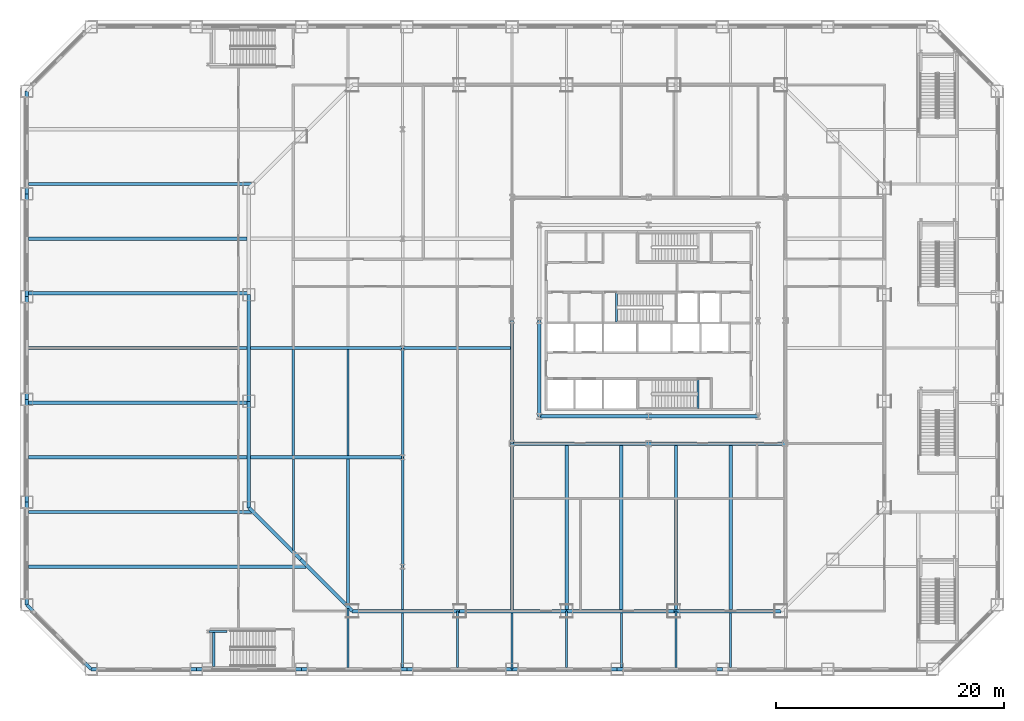
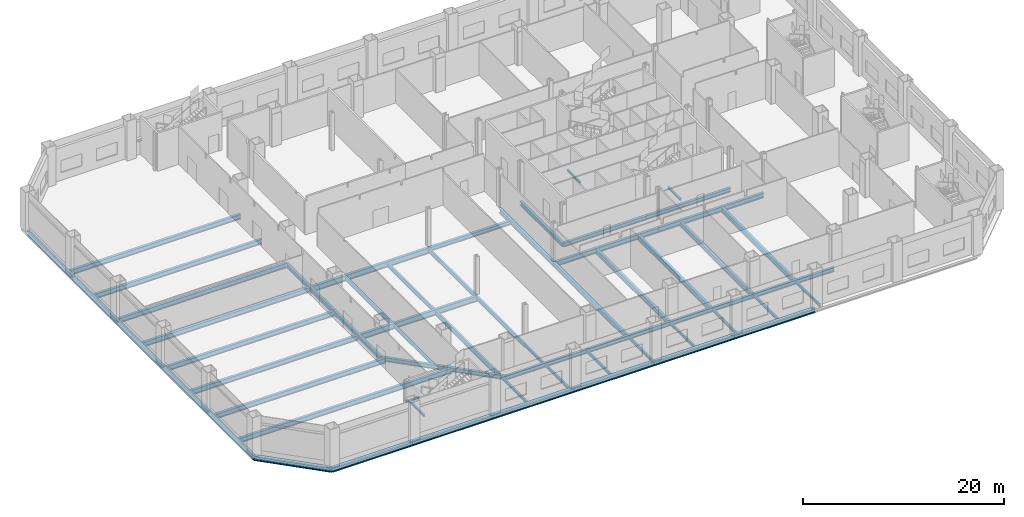
# One storey, part 8 of 26: 61 beams.
"""IFC4 building model written with IfcOpenShell, lengths in metres."""

from ifc_helpers import new_model, si_unit, direction, frame, origin, origin_2d, place, context, subcontext, project, spatial, i_section, extrude, material, material_profile, profile_set, type_object, element, save


model = new_model("IFC4")

# Units and contexts
model_context = context("Model", 3, precision=1e-05, world=origin(), true_north=direction((0.0, 1.0)))
body_context = subcontext(model_context, "Body", "Model", "MODEL_VIEW")
ifc_project = project(units=[si_unit("LENGTHUNIT", "METRE"), si_unit("AREAUNIT", "SQUARE_METRE"), si_unit("VOLUMEUNIT", "CUBIC_METRE"), si_unit("PLANEANGLEUNIT", "RADIAN"), si_unit("MASSUNIT", "GRAM", prefix="KILO")], contexts=[model_context])

# Site, building, storey
site_placement = place(None, origin())
site = spatial("IfcSite", under=ifc_project, at=site_placement, CompositionType="ELEMENT")
building_placement = place(site_placement, origin())
building = spatial("IfcBuilding", under=site, at=building_placement, Name="Cairn Pilgrim Tower", CompositionType="ELEMENT")
storey_placement = place(building_placement, frame((0.0, 0.0, 21.0)))
storey = spatial("IfcBuildingStorey", under=building, at=storey_placement, Name="L03", CompositionType="ELEMENT", Elevation=21.0)

# Beams
ifc_material = material(Name="Structural steel S355J2", Category="steel")
ifc_material_profile_1 = material_profile(ifc_material, i_section(OverallWidth=0.300048828125, OverallDepth=0.60009765625, WebThickness=0.015380859375, FlangeThickness=0.030029296875, FilletRadius=0.027099609375, at=origin_2d()), Name="HEB 600")
ifc_profile_set_1 = profile_set([ifc_material_profile_1], Name="Structural steel S355J2")
beam_type_1 = type_object("IfcBeamType", Name="PODIUM BEAM HE 600 B", PredefinedType="BEAM", material=ifc_profile_set_1)
for number, where, z_axis, x_axis, name in (
    (1, (-4.800048828125, -22.947998046875, -0.5), (0.0, 1.0, 0.0), (-1.0, 0.0, 0.0), "PODIUM BEAM PB-HE600B"),
    (2, (0.0, -23.10009765625, -0.5), (0.0, 1.0, 0.0), (-1.0, 0.0, 0.0), "PODIUM BEAM PB-HE600B"),
):
    element("IfcBeam", number, at=place(storey_placement, frame(where, z_axis=z_axis, x_axis=x_axis)), inside=storey, type_object=beam_type_1, Name=name, PredefinedType="BEAM", context=body_context, shape_type="SweptSolid", body=[
        extrude(i_section(OverallWidth=0.300048828125, OverallDepth=0.60009765625, WebThickness=0.015380859375, FlangeThickness=0.030029296875, FilletRadius=0.027099609375, at=origin_2d()), origin(), (0.0, 0.0, 1.0), 14.548095703125),
    ])
beam_1_placement = place(storey_placement, frame((4.800048828125, -22.947998046875, -0.5), z_axis=(0.0, 1.0, 0.0), x_axis=(-1.0, 0.0, 0.0)))
element("IfcBeam", 3, at=beam_1_placement, inside=storey, type_object=beam_type_1, Name="PODIUM BEAM PB-HE600B", PredefinedType="BEAM", context=body_context, shape_type="SweptSolid", body=[
    extrude(i_section(OverallWidth=0.300048828125, OverallDepth=0.60009765625, WebThickness=0.015380859375, FlangeThickness=0.030029296875, FilletRadius=0.027099609375, at=origin_2d()), origin(), (0.0, 0.0, 1.0), 14.39599609375),
])
beam_2_placement = place(storey_placement, frame((9.60009765625, -23.10009765625, -0.5), z_axis=(0.0, 1.0, 0.0), x_axis=(-1.0, 0.0, 0.0)))
element("IfcBeam", 4, at=beam_2_placement, inside=storey, type_object=beam_type_1, Name="PODIUM BEAM PB-HE600B", PredefinedType="BEAM", context=body_context, shape_type="SweptSolid", body=[
    extrude(i_section(OverallWidth=0.300048828125, OverallDepth=0.60009765625, WebThickness=0.015380859375, FlangeThickness=0.030029296875, FilletRadius=0.027099609375, at=origin_2d()), origin(), (0.0, 0.0, 1.0), 14.548095703125),
])
beam_3_placement = place(storey_placement, frame((14.39990234375, -22.947998046875, -0.5), z_axis=(0.0, 1.0, 0.0), x_axis=(-1.0, 0.0, 0.0)))
element("IfcBeam", 5, at=beam_3_placement, inside=storey, type_object=beam_type_1, Name="PODIUM BEAM PB-HE600B", PredefinedType="BEAM", context=body_context, shape_type="SweptSolid", body=[
    extrude(i_section(OverallWidth=0.300048828125, OverallDepth=0.60009765625, WebThickness=0.015380859375, FlangeThickness=0.030029296875, FilletRadius=0.027099609375, at=origin_2d()), origin(), (0.0, 0.0, 1.0), 14.39599609375),
])
beam_4_placement = place(storey_placement, frame((-47.248046875, -19.199951171875, -0.5), z_axis=(1.0, 0.0, 0.0), x_axis=(0.0, 1.0, 0.0)))
element("IfcBeam", 6, at=beam_4_placement, inside=storey, type_object=beam_type_1, Name="PODIUM BEAM PB-HE600B", PredefinedType="BEAM", context=body_context, shape_type="SweptSolid", body=[
    extrude(i_section(OverallWidth=0.300048828125, OverallDepth=0.60009765625, WebThickness=0.015380859375, FlangeThickness=0.030029296875, FilletRadius=0.027099609375, at=origin_2d()), origin(), (0.0, 0.0, 1.0), 24.368896484375),
])
beam_5_placement = place(storey_placement, frame((-47.248046875, -14.39990234375, -0.5), z_axis=(1.0, 0.0, 0.0), x_axis=(0.0, 1.0, 0.0)))
element("IfcBeam", 7, at=beam_5_placement, inside=storey, type_object=beam_type_1, Name="PODIUM BEAM PB-HE600B", PredefinedType="BEAM", context=body_context, shape_type="SweptSolid", body=[
    extrude(i_section(OverallWidth=0.300048828125, OverallDepth=0.60009765625, WebThickness=0.015380859375, FlangeThickness=0.030029296875, FilletRadius=0.027099609375, at=origin_2d()), origin(), (0.0, 0.0, 1.0), 19.56884765625),
])
beam_6_placement = place(storey_placement, frame((-47.248046875, -9.60009765625, -0.5), z_axis=(1.0, 0.0, 0.0), x_axis=(0.0, 1.0, 0.0)))
element("IfcBeam", 8, at=beam_6_placement, inside=storey, type_object=beam_type_1, Name="PODIUM BEAM PB-HE600B", PredefinedType="BEAM", context=body_context, shape_type="SweptSolid", body=[
    extrude(i_section(OverallWidth=0.300048828125, OverallDepth=0.60009765625, WebThickness=0.015380859375, FlangeThickness=0.030029296875, FilletRadius=0.027099609375, at=origin_2d()), origin(), (0.0, 0.0, 1.0), 19.196044921875),
])
beam_7_placement = place(storey_placement, frame((-47.39990234375, -4.800048828125, -0.5), z_axis=(1.0, 0.0, 0.0), x_axis=(0.0, 1.0, 0.0)))
element("IfcBeam", 9, at=beam_7_placement, inside=storey, type_object=beam_type_1, Name="PODIUM BEAM PB-HE600B", PredefinedType="BEAM", context=body_context, shape_type="SweptSolid", body=[
    extrude(i_section(OverallWidth=0.300048828125, OverallDepth=0.60009765625, WebThickness=0.015380859375, FlangeThickness=0.030029296875, FilletRadius=0.027099609375, at=origin_2d()), origin(), (0.0, 0.0, 1.0), 19.5),
])
beam_8_placement = place(storey_placement, frame((-47.248046875, 0.0, -0.5), z_axis=(1.0, 0.0, 0.0), x_axis=(0.0, 1.0, 0.0)))
element("IfcBeam", 10, at=beam_8_placement, inside=storey, type_object=beam_type_1, Name="PODIUM BEAM PB-HE600B", PredefinedType="BEAM", context=body_context, shape_type="SweptSolid", body=[
    extrude(i_section(OverallWidth=0.300048828125, OverallDepth=0.60009765625, WebThickness=0.015380859375, FlangeThickness=0.030029296875, FilletRadius=0.027099609375, at=origin_2d()), origin(), (0.0, 0.0, 1.0), 19.196044921875),
])
beam_9_placement = place(storey_placement, frame((-47.39990234375, 4.800048828125, -0.5), z_axis=(1.0, 0.0, 0.0), x_axis=(0.0, 1.0, 0.0)))
element("IfcBeam", 11, at=beam_9_placement, inside=storey, type_object=beam_type_1, Name="PODIUM BEAM PB-HE600B", PredefinedType="BEAM", context=body_context, shape_type="SweptSolid", body=[
    extrude(i_section(OverallWidth=0.300048828125, OverallDepth=0.60009765625, WebThickness=0.015380859375, FlangeThickness=0.030029296875, FilletRadius=0.027099609375, at=origin_2d()), origin(), (0.0, 0.0, 1.0), 19.5),
])
beam_10_placement = place(storey_placement, frame((-47.248046875, 9.60009765625, -0.5), z_axis=(1.0, 0.0, 0.0), x_axis=(0.0, 1.0, 0.0)))
element("IfcBeam", 12, at=beam_10_placement, inside=storey, type_object=beam_type_1, Name="PODIUM BEAM PB-HE600B", PredefinedType="BEAM", context=body_context, shape_type="SweptSolid", body=[
    extrude(i_section(OverallWidth=0.300048828125, OverallDepth=0.60009765625, WebThickness=0.015380859375, FlangeThickness=0.030029296875, FilletRadius=0.027099609375, at=origin_2d()), origin(), (0.0, 0.0, 1.0), 19.196044921875),
])
beam_11_placement = place(storey_placement, frame((-47.248046875, 14.39990234375, -0.5), z_axis=(1.0, 0.0, 0.0), x_axis=(0.0, 1.0, 0.0)))
element("IfcBeam", 13, at=beam_11_placement, inside=storey, type_object=beam_type_1, Name="PODIUM BEAM PB-HE600B", PredefinedType="BEAM", context=body_context, shape_type="SweptSolid", body=[
    extrude(i_section(OverallWidth=0.300048828125, OverallDepth=0.60009765625, WebThickness=0.015380859375, FlangeThickness=0.030029296875, FilletRadius=0.027099609375, at=origin_2d()), origin(), (0.0, 0.0, 1.0), 19.56884765625),
])
ifc_material_profile_2 = material_profile(ifc_material, i_section(OverallWidth=0.169921875, OverallDepth=0.360107421875, WebThickness=0.008056640625, FlangeThickness=0.0126953125, FilletRadius=0.01806640625, at=origin_2d()), Name="IPE 360")
ifc_profile_set_2 = profile_set([ifc_material_profile_2], Name="Structural steel S355J2")
beam_type_2 = type_object("IfcBeamType", Name="PODIUM BEAM IPE 360", PredefinedType="BEAM", material=ifc_profile_set_2)
beam_12_placement = place(storey_placement, frame((-14.39990234375, -22.947998046875, -0.3798828125), z_axis=(0.0, 1.0, 0.0), x_axis=(-1.0, 0.0, 0.0)))
element("IfcBeam", 14, at=beam_12_placement, inside=storey, type_object=beam_type_2, Name="PODIUM BEAM PB-IPE360", PredefinedType="BEAM", context=body_context, shape_type="SweptSolid", body=[
    extrude(i_section(OverallWidth=0.169921875, OverallDepth=0.360107421875, WebThickness=0.008056640625, FlangeThickness=0.0126953125, FilletRadius=0.01806640625, at=origin_2d()), origin(), (0.0, 0.0, 1.0), 3.748046875),
])
beam_13_placement = place(storey_placement, frame((-19.199951171875, -28.048095703125, -0.3798828125), z_axis=(0.0, 1.0, 0.0), x_axis=(-1.0, 0.0, 0.0)))
element("IfcBeam", 15, at=beam_13_placement, inside=storey, type_object=beam_type_2, Name="PODIUM BEAM PB-IPE360", PredefinedType="BEAM", context=body_context, shape_type="SweptSolid", body=[
    extrude(i_section(OverallWidth=0.169921875, OverallDepth=0.360107421875, WebThickness=0.008056640625, FlangeThickness=0.0126953125, FilletRadius=0.01806640625, at=origin_2d()), origin(), (0.0, 0.0, 1.0), 5.1689453125),
])
beam_14_placement = place(storey_placement, frame((-14.39990234375, -28.048095703125, -0.3798828125), z_axis=(0.0, 1.0, 0.0), x_axis=(-1.0, 0.0, 0.0)))
element("IfcBeam", 16, at=beam_14_placement, inside=storey, type_object=beam_type_2, Name="PODIUM BEAM PB-IPE360", PredefinedType="BEAM", context=body_context, shape_type="SweptSolid", body=[
    extrude(i_section(OverallWidth=0.169921875, OverallDepth=0.360107421875, WebThickness=0.008056640625, FlangeThickness=0.0126953125, FilletRadius=0.01806640625, at=origin_2d()), origin(), (0.0, 0.0, 1.0), 4.796142578125),
])
for number, where, z_axis, x_axis, name in (
    (17, (-9.60009765625, -28.048095703125, -0.3798828125), (0.0, 1.0, 0.0), (-1.0, 0.0, 0.0), "PODIUM BEAM PB-IPE360"),
    (18, (-4.800048828125, -28.199951171875, -0.3798828125), (0.0, 1.0, 0.0), (-1.0, 0.0, 0.0), "PODIUM BEAM PB-IPE360"),
    (19, (0.0, -28.048095703125, -0.3798828125), (0.0, 1.0, 0.0), (-1.0, 0.0, 0.0), "PODIUM BEAM PB-IPE360"),
):
    element("IfcBeam", number, at=place(storey_placement, frame(where, z_axis=z_axis, x_axis=x_axis)), inside=storey, type_object=beam_type_2, Name=name, PredefinedType="BEAM", context=body_context, shape_type="SweptSolid", body=[
        extrude(i_section(OverallWidth=0.169921875, OverallDepth=0.360107421875, WebThickness=0.008056640625, FlangeThickness=0.0126953125, FilletRadius=0.01806640625, at=origin_2d()), origin(), (0.0, 0.0, 1.0), 4.947998046875),
    ])
beam_15_placement = place(storey_placement, frame((4.800048828125, -28.048095703125, -0.3798828125), z_axis=(0.0, 1.0, 0.0), x_axis=(-1.0, 0.0, 0.0)))
element("IfcBeam", 20, at=beam_15_placement, inside=storey, type_object=beam_type_2, Name="PODIUM BEAM PB-IPE360", PredefinedType="BEAM", context=body_context, shape_type="SweptSolid", body=[
    extrude(i_section(OverallWidth=0.169921875, OverallDepth=0.360107421875, WebThickness=0.008056640625, FlangeThickness=0.0126953125, FilletRadius=0.01806640625, at=origin_2d()), origin(), (0.0, 0.0, 1.0), 4.796142578125),
])
beam_16_placement = place(storey_placement, frame((9.60009765625, -28.048095703125, -0.3798828125), z_axis=(0.0, 1.0, 0.0), x_axis=(-1.0, 0.0, 0.0)))
element("IfcBeam", 21, at=beam_16_placement, inside=storey, type_object=beam_type_2, Name="PODIUM BEAM PB-IPE360", PredefinedType="BEAM", context=body_context, shape_type="SweptSolid", body=[
    extrude(i_section(OverallWidth=0.169921875, OverallDepth=0.360107421875, WebThickness=0.008056640625, FlangeThickness=0.0126953125, FilletRadius=0.01806640625, at=origin_2d()), origin(), (0.0, 0.0, 1.0), 4.947998046875),
])
beam_17_placement = place(storey_placement, frame((14.39990234375, -28.048095703125, -0.3798828125), z_axis=(0.0, 1.0, 0.0), x_axis=(-1.0, 0.0, 0.0)))
element("IfcBeam", 22, at=beam_17_placement, inside=storey, type_object=beam_type_2, Name="PODIUM BEAM PB-IPE360", PredefinedType="BEAM", context=body_context, shape_type="SweptSolid", body=[
    extrude(i_section(OverallWidth=0.169921875, OverallDepth=0.360107421875, WebThickness=0.008056640625, FlangeThickness=0.0126953125, FilletRadius=0.01806640625, at=origin_2d()), origin(), (0.0, 0.0, 1.0), 4.796142578125),
])
ifc_material_profile_3 = material_profile(ifc_material, i_section(OverallWidth=0.179931640625, OverallDepth=0.39990234375, WebThickness=0.008544921875, FlangeThickness=0.013427734375, FilletRadius=0.02099609375, at=origin_2d()), Name="IPE 400")
ifc_profile_set_3 = profile_set([ifc_material_profile_3], Name="Structural steel S355J2")
beam_type_3 = type_object("IfcBeamType", Name="PODIUM BEAM IPE 400", PredefinedType="BEAM", material=ifc_profile_set_3)
beam_18_placement = place(storey_placement, frame((-24.0, -17.775146484375, -0.39990234375), z_axis=(0.0, 1.0, 0.0), x_axis=(-1.0, 0.0, 0.0)))
element("IfcBeam", 23, at=beam_18_placement, inside=storey, type_object=beam_type_3, Name="PODIUM BEAM PB-IPE400", PredefinedType="BEAM", context=body_context, shape_type="SweptSolid", body=[
    extrude(i_section(OverallWidth=0.179931640625, OverallDepth=0.39990234375, WebThickness=0.008544921875, FlangeThickness=0.013427734375, FilletRadius=0.02099609375, at=origin_2d()), origin(), (0.0, 0.0, 1.0), 8.023193359375),
])
ifc_material_profile_4 = material_profile(ifc_material, i_section(OverallWidth=0.199951171875, OverallDepth=0.5, WebThickness=0.01025390625, FlangeThickness=0.01611328125, FilletRadius=0.02099609375, at=origin_2d()), Name="IPE 500")
ifc_profile_set_4 = profile_set([ifc_material_profile_4], Name="Structural steel S355J2")
beam_type_4 = type_object("IfcBeamType", Name="PODIUM BEAM IPE 500", PredefinedType="BEAM", material=ifc_profile_set_4)
for number, where, z_axis, x_axis, name in (
    (24, (-24.0, -9.447998046875, -0.449951171875), (0.0, 1.0, 0.0), (-1.0, 0.0, 0.0), "PODIUM BEAM PB-IPE500"),
    (25, (-19.199951171875, -9.447998046875, -0.449951171875), (0.0, 1.0, 0.0), (-1.0, 0.0, 0.0), "PODIUM BEAM PB-IPE500"),
):
    element("IfcBeam", number, at=place(storey_placement, frame(where, z_axis=z_axis, x_axis=x_axis)), inside=storey, type_object=beam_type_4, Name=name, PredefinedType="BEAM", context=body_context, shape_type="SweptSolid", body=[
        extrude(i_section(OverallWidth=0.199951171875, OverallDepth=0.5, WebThickness=0.01025390625, FlangeThickness=0.01611328125, FilletRadius=0.02099609375, at=origin_2d()), origin(), (0.0, 0.0, 1.0), 9.2958984375),
    ])
beam_19_placement = place(storey_placement, frame((-14.39990234375, -19.199951171875, -0.449951171875), z_axis=(0.0, 1.0, 0.0), x_axis=(-1.0, 0.0, 0.0)))
element("IfcBeam", 26, at=beam_19_placement, inside=storey, type_object=beam_type_4, Name="PODIUM BEAM PB-IPE500", PredefinedType="BEAM", context=body_context, shape_type="SweptSolid", body=[
    extrude(i_section(OverallWidth=0.199951171875, OverallDepth=0.5, WebThickness=0.01025390625, FlangeThickness=0.01611328125, FilletRadius=0.02099609375, at=origin_2d()), origin(), (0.0, 0.0, 1.0), 9.599853515625),
])
beam_20_placement = place(storey_placement, frame((-14.39990234375, -9.60009765625, -0.449951171875), z_axis=(0.0, 1.0, 0.0), x_axis=(-1.0, 0.0, 0.0)))
element("IfcBeam", 27, at=beam_20_placement, inside=storey, type_object=beam_type_4, Name="PODIUM BEAM PB-IPE500", PredefinedType="BEAM", context=body_context, shape_type="SweptSolid", body=[
    extrude(i_section(OverallWidth=0.199951171875, OverallDepth=0.5, WebThickness=0.01025390625, FlangeThickness=0.01611328125, FilletRadius=0.02099609375, at=origin_2d()), origin(), (0.0, 0.0, 1.0), 9.60009765625),
])
ifc_material_profile_5 = material_profile(ifc_material, i_section(OverallWidth=0.219970703125, OverallDepth=0.60009765625, WebThickness=0.011962890625, FlangeThickness=0.01904296875, FilletRadius=0.02392578125, at=origin_2d()), Name="IPE 600")
ifc_profile_set_5 = profile_set([ifc_material_profile_5], Name="Structural steel S355J2")
beam_type_5 = type_object("IfcBeamType", Name="PODIUM BEAM IPE 600", PredefinedType="BEAM", material=ifc_profile_set_5)
beam_21_placement = place(storey_placement, frame((-19.199951171875, -22.5751953125, -0.5), z_axis=(0.0, 1.0, 0.0), x_axis=(-1.0, 0.0, 0.0)))
element("IfcBeam", 28, at=beam_21_placement, inside=storey, type_object=beam_type_5, Name="PODIUM BEAM PB-IPE600", PredefinedType="BEAM", context=body_context, shape_type="SweptSolid", body=[
    extrude(i_section(OverallWidth=0.219970703125, OverallDepth=0.60009765625, WebThickness=0.011962890625, FlangeThickness=0.01904296875, FilletRadius=0.02392578125, at=origin_2d()), origin(), (0.0, 0.0, 1.0), 12.8232421875),
])
ifc_material_profile_6 = material_profile(ifc_material, i_section(OverallWidth=0.300048828125, OverallDepth=0.60009765625, WebThickness=0.015380859375, FlangeThickness=0.030029296875, FilletRadius=0.027099609375, at=origin_2d()), Name="HEB 600")
ifc_profile_set_6 = profile_set([ifc_material_profile_6], Name="Structural steel S355J2")
beam_type_6 = type_object("IfcBeamType", Name="PODIUM EDGE GIRDER HE 600 B", PredefinedType="BEAM", material=ifc_profile_set_6)
beam_22_placement = place(storey_placement, frame((-41.75146484375, -28.199951171875, -0.5), z_axis=(1.0, 0.0, 0.0), x_axis=(0.0, 1.0, 0.0)))
element("IfcBeam", 29, at=beam_22_placement, inside=storey, type_object=beam_type_6, Name="PODIUM EDGE GIRDER PE-HE600B", PredefinedType="BEAM", context=body_context, shape_type="SweptSolid", body=[
    extrude(i_section(OverallWidth=0.300048828125, OverallDepth=0.60009765625, WebThickness=0.015380859375, FlangeThickness=0.030029296875, FilletRadius=0.027099609375, at=origin_2d()), origin(), (0.0, 0.0, 1.0), 9.23779296875),
])
beam_23_placement = place(storey_placement, frame((-32.513671875, -28.199951171875, -0.5), z_axis=(1.0, 0.0, 0.0), x_axis=(0.0, 1.0, 0.0)))
element("IfcBeam", 30, at=beam_23_placement, inside=storey, type_object=beam_type_6, Name="PODIUM EDGE GIRDER PE-HE600B", PredefinedType="BEAM", context=body_context, shape_type="SweptSolid", body=[
    extrude(i_section(OverallWidth=0.300048828125, OverallDepth=0.60009765625, WebThickness=0.015380859375, FlangeThickness=0.030029296875, FilletRadius=0.027099609375, at=origin_2d()), origin(), (0.0, 0.0, 1.0), 9.238037109375),
])
for number, where, z_axis, x_axis, name in (
    (31, (-23.275634765625, -28.199951171875, -0.5), (1.0, 0.0, 0.0), (0.0, 1.0, 0.0), "PODIUM EDGE GIRDER PE-HE600B"),
    (32, (-14.037841796875, -28.199951171875, -0.5), (1.0, 0.0, 0.0), (0.0, 1.0, 0.0), "PODIUM EDGE GIRDER PE-HE600B"),
):
    element("IfcBeam", number, at=place(storey_placement, frame(where, z_axis=z_axis, x_axis=x_axis)), inside=storey, type_object=beam_type_6, Name=name, PredefinedType="BEAM", context=body_context, shape_type="SweptSolid", body=[
        extrude(i_section(OverallWidth=0.300048828125, OverallDepth=0.60009765625, WebThickness=0.015380859375, FlangeThickness=0.030029296875, FilletRadius=0.027099609375, at=origin_2d()), origin(), (0.0, 0.0, 1.0), 9.23779296875),
    ])
beam_24_placement = place(storey_placement, frame((-4.800048828125, -28.199951171875, -0.5), z_axis=(1.0, 0.0, 0.0), x_axis=(0.0, 1.0, 0.0)))
element("IfcBeam", 33, at=beam_24_placement, inside=storey, type_object=beam_type_6, Name="PODIUM EDGE GIRDER PE-HE600B", PredefinedType="BEAM", context=body_context, shape_type="SweptSolid", body=[
    extrude(i_section(OverallWidth=0.300048828125, OverallDepth=0.60009765625, WebThickness=0.015380859375, FlangeThickness=0.030029296875, FilletRadius=0.027099609375, at=origin_2d()), origin(), (0.0, 0.0, 1.0), 9.238037109375),
])
beam_25_placement = place(storey_placement, frame((4.43798828125, -28.199951171875, -0.5), z_axis=(1.0, 0.0, 0.0), x_axis=(0.0, 1.0, 0.0)))
element("IfcBeam", 34, at=beam_25_placement, inside=storey, type_object=beam_type_6, Name="PODIUM EDGE GIRDER PE-HE600B", PredefinedType="BEAM", context=body_context, shape_type="SweptSolid", body=[
    extrude(i_section(OverallWidth=0.300048828125, OverallDepth=0.60009765625, WebThickness=0.015380859375, FlangeThickness=0.030029296875, FilletRadius=0.027099609375, at=origin_2d()), origin(), (0.0, 0.0, 1.0), 9.23779296875),
])
beam_26_placement = place(storey_placement, frame((-47.39990234375, 22.551513671875, -0.5), z_axis=(0.0, -1.0, 0.0), x_axis=(1.0, 0.0, 0.0)))
element("IfcBeam", 35, at=beam_26_placement, inside=storey, type_object=beam_type_6, Name="PODIUM EDGE GIRDER PE-HE600B", PredefinedType="BEAM", context=body_context, shape_type="SweptSolid", body=[
    extrude(i_section(OverallWidth=0.300048828125, OverallDepth=0.60009765625, WebThickness=0.015380859375, FlangeThickness=0.030029296875, FilletRadius=0.027099609375, at=origin_2d()), origin(), (0.0, 0.0, 1.0), 9.0205078125),
])
beam_27_placement = place(storey_placement, frame((-47.39990234375, 13.531005859375, -0.5), z_axis=(0.0, -1.0, 0.0), x_axis=(1.0, 0.0, 0.0)))
element("IfcBeam", 36, at=beam_27_placement, inside=storey, type_object=beam_type_6, Name="PODIUM EDGE GIRDER PE-HE600B", PredefinedType="BEAM", context=body_context, shape_type="SweptSolid", body=[
    extrude(i_section(OverallWidth=0.300048828125, OverallDepth=0.60009765625, WebThickness=0.015380859375, FlangeThickness=0.030029296875, FilletRadius=0.027099609375, at=origin_2d()), origin(), (0.0, 0.0, 1.0), 9.020751953125),
])
beam_28_placement = place(storey_placement, frame((-47.39990234375, 4.51025390625, -0.5), z_axis=(0.0, -1.0, 0.0), x_axis=(1.0, 0.0, 0.0)))
element("IfcBeam", 37, at=beam_28_placement, inside=storey, type_object=beam_type_6, Name="PODIUM EDGE GIRDER PE-HE600B", PredefinedType="BEAM", context=body_context, shape_type="SweptSolid", body=[
    extrude(i_section(OverallWidth=0.300048828125, OverallDepth=0.60009765625, WebThickness=0.015380859375, FlangeThickness=0.030029296875, FilletRadius=0.027099609375, at=origin_2d()), origin(), (0.0, 0.0, 1.0), 9.0205078125),
])
beam_29_placement = place(storey_placement, frame((-47.39990234375, -4.51025390625, -0.5), z_axis=(0.0, -1.0, 0.0), x_axis=(1.0, 0.0, 0.0)))
element("IfcBeam", 38, at=beam_29_placement, inside=storey, type_object=beam_type_6, Name="PODIUM EDGE GIRDER PE-HE600B", PredefinedType="BEAM", context=body_context, shape_type="SweptSolid", body=[
    extrude(i_section(OverallWidth=0.300048828125, OverallDepth=0.60009765625, WebThickness=0.015380859375, FlangeThickness=0.030029296875, FilletRadius=0.027099609375, at=origin_2d()), origin(), (0.0, 0.0, 1.0), 9.020751953125),
])
beam_30_placement = place(storey_placement, frame((-47.39990234375, -13.531005859375, -0.5), z_axis=(0.0, -1.0, 0.0), x_axis=(1.0, 0.0, 0.0)))
element("IfcBeam", 39, at=beam_30_placement, inside=storey, type_object=beam_type_6, Name="PODIUM EDGE GIRDER PE-HE600B", PredefinedType="BEAM", context=body_context, shape_type="SweptSolid", body=[
    extrude(i_section(OverallWidth=0.300048828125, OverallDepth=0.60009765625, WebThickness=0.015380859375, FlangeThickness=0.030029296875, FilletRadius=0.027099609375, at=origin_2d()), origin(), (0.0, 0.0, 1.0), 9.0205078125),
])
beam_31_placement = place(storey_placement, frame((-47.39990234375, -22.551513671875, -0.5), z_axis=(0.707106781187, -0.707106781187, 0.0), x_axis=(0.707106781187, 0.707106781187, 0.0)))
element("IfcBeam", 40, at=beam_31_placement, inside=storey, type_object=beam_type_6, Name="PODIUM EDGE GIRDER PE-HE600B", PredefinedType="BEAM", context=body_context, shape_type="SweptSolid", body=[
    extrude(i_section(OverallWidth=0.300048828125, OverallDepth=0.60009765625, WebThickness=0.015380859375, FlangeThickness=0.030029296875, FilletRadius=0.027099609375, at=origin_2d()), origin(), (0.0, 0.0, 1.0), 7.988037109375),
])
ifc_material_profile_7 = material_profile(ifc_material, i_section(OverallWidth=0.300048828125, OverallDepth=0.5, WebThickness=0.014404296875, FlangeThickness=0.028076171875, FilletRadius=0.027099609375, at=origin_2d()), Name="HEB 500")
ifc_profile_set_7 = profile_set([ifc_material_profile_7], Name="Structural steel S355J2")
beam_type_7 = type_object("IfcBeamType", Name="PODIUM GIRDER HE 500 B", PredefinedType="BEAM", material=ifc_profile_set_7)
for number, where, z_axis, x_axis, name in (
    (41, (-18.8271484375, -23.10009765625, -0.449951171875), (1.0, 0.0, 0.0), (0.0, 1.0, 0.0), "PODIUM GIRDER PG-HE500B"),
    (42, (-9.41357421875, -23.10009765625, -0.449951171875), (1.0, 0.0, 0.0), (0.0, 1.0, 0.0), "PODIUM GIRDER PG-HE500B"),
    (43, (0.0, -23.10009765625, -0.449951171875), (1.0, 0.0, 0.0), (0.0, 1.0, 0.0), "PODIUM GIRDER PG-HE500B"),
    (44, (9.41357421875, -23.10009765625, -0.449951171875), (1.0, 0.0, 0.0), (0.0, 1.0, 0.0), "PODIUM GIRDER PG-HE500B"),
):
    element("IfcBeam", number, at=place(storey_placement, frame(where, z_axis=z_axis, x_axis=x_axis)), inside=storey, type_object=beam_type_7, Name=name, PredefinedType="BEAM", context=body_context, shape_type="SweptSolid", body=[
        extrude(i_section(OverallWidth=0.300048828125, OverallDepth=0.5, WebThickness=0.014404296875, FlangeThickness=0.028076171875, FilletRadius=0.027099609375, at=origin_2d()), origin(), (0.0, 0.0, 1.0), 9.41357421875),
    ])
beam_32_placement = place(storey_placement, frame((-27.89990234375, 4.67578125, -0.449951171875), z_axis=(0.0, -1.0, 0.0), x_axis=(1.0, 0.0, 0.0)))
element("IfcBeam", 45, at=beam_32_placement, inside=storey, type_object=beam_type_7, Name="PODIUM GIRDER PG-HE500B", PredefinedType="BEAM", context=body_context, shape_type="SweptSolid", body=[
    extrude(i_section(OverallWidth=0.300048828125, OverallDepth=0.5, WebThickness=0.014404296875, FlangeThickness=0.028076171875, FilletRadius=0.027099609375, at=origin_2d()), origin(), (0.0, 0.0, 1.0), 9.3515625),
])
beam_33_placement = place(storey_placement, frame((-27.89990234375, -4.67578125, -0.449951171875), z_axis=(0.0, -1.0, 0.0), x_axis=(1.0, 0.0, 0.0)))
element("IfcBeam", 46, at=beam_33_placement, inside=storey, type_object=beam_type_7, Name="PODIUM GIRDER PG-HE500B", PredefinedType="BEAM", context=body_context, shape_type="SweptSolid", body=[
    extrude(i_section(OverallWidth=0.300048828125, OverallDepth=0.5, WebThickness=0.014404296875, FlangeThickness=0.028076171875, FilletRadius=0.027099609375, at=origin_2d()), origin(), (0.0, 0.0, 1.0), 9.351318359375),
])
for number, where, z_axis, x_axis, name in (
    (47, (-27.89990234375, -14.027099609375, -0.449951171875), (0.707087753759, -0.707125808102, 0.0), (0.707125808102, 0.707087753759, 0.0), "PODIUM GIRDER PG-HE500B"),
    (48, (-23.363525390625, -18.563720703125, -0.449951171875), (0.707106781187, -0.707106781187, 0.0), (0.707106781187, 0.707106781187, 0.0), "PODIUM GIRDER PG-HE500B"),
):
    element("IfcBeam", number, at=place(storey_placement, frame(where, z_axis=z_axis, x_axis=x_axis)), inside=storey, type_object=beam_type_7, Name=name, PredefinedType="BEAM", context=body_context, shape_type="SweptSolid", body=[
        extrude(i_section(OverallWidth=0.300048828125, OverallDepth=0.5, WebThickness=0.014404296875, FlangeThickness=0.028076171875, FilletRadius=0.027099609375, at=origin_2d()), origin(), (0.0, 0.0, 1.0), 6.41552734375),
    ])
beam_34_placement = place(storey_placement, frame((-2.39990234375, 2.39990234375, -0.449951171875), z_axis=(0.0, -1.0, 0.0), x_axis=(1.0, 0.0, 0.0)))
element("IfcBeam", 49, at=beam_34_placement, inside=storey, type_object=beam_type_7, Name="PODIUM GIRDER PG-HE500B", PredefinedType="BEAM", context=body_context, shape_type="SweptSolid", body=[
    extrude(i_section(OverallWidth=0.300048828125, OverallDepth=0.5, WebThickness=0.014404296875, FlangeThickness=0.028076171875, FilletRadius=0.027099609375, at=origin_2d()), origin(), (0.0, 0.0, 1.0), 8.39990234375),
])
beam_35_placement = place(storey_placement, frame((-2.39990234375, -6.0, -0.449951171875), z_axis=(1.0, 0.0, 0.0), x_axis=(0.0, 1.0, 0.0)))
element("IfcBeam", 50, at=beam_35_placement, inside=storey, type_object=beam_type_7, Name="PODIUM GIRDER PG-HE500B", PredefinedType="BEAM", context=body_context, shape_type="SweptSolid", body=[
    extrude(i_section(OverallWidth=0.300048828125, OverallDepth=0.5, WebThickness=0.014404296875, FlangeThickness=0.028076171875, FilletRadius=0.027099609375, at=origin_2d()), origin(), (0.0, 0.0, 1.0), 9.599853515625),
])
beam_36_placement = place(storey_placement, frame((7.199951171875, -6.0, -0.449951171875), z_axis=(1.0, 0.0, 0.0), x_axis=(0.0, 1.0, 0.0)))
element("IfcBeam", 51, at=beam_36_placement, inside=storey, type_object=beam_type_7, Name="PODIUM GIRDER PG-HE500B", PredefinedType="BEAM", context=body_context, shape_type="SweptSolid", body=[
    extrude(i_section(OverallWidth=0.300048828125, OverallDepth=0.5, WebThickness=0.014404296875, FlangeThickness=0.028076171875, FilletRadius=0.027099609375, at=origin_2d()), origin(), (0.0, 0.0, 1.0), 9.60009765625),
])
beam_37_placement = place(storey_placement, frame((-14.39990234375, 0.0, -0.449951171875), z_axis=(1.0, 0.0, 0.0), x_axis=(0.0, 1.0, 0.0)))
element("IfcBeam", 52, at=beam_37_placement, inside=storey, type_object=beam_type_7, Name="PODIUM GIRDER PG-HE500B", PredefinedType="BEAM", context=body_context, shape_type="SweptSolid", body=[
    extrude(i_section(OverallWidth=0.300048828125, OverallDepth=0.5, WebThickness=0.014404296875, FlangeThickness=0.028076171875, FilletRadius=0.027099609375, at=origin_2d()), origin(), (0.0, 0.0, 1.0), 9.447998046875),
])
ifc_material_profile_8 = material_profile(ifc_material, i_section(OverallWidth=0.300048828125, OverallDepth=0.60009765625, WebThickness=0.015380859375, FlangeThickness=0.030029296875, FilletRadius=0.027099609375, at=origin_2d()), Name="HEB 600")
ifc_profile_set_8 = profile_set([ifc_material_profile_8], Name="Structural steel S355J2")
beam_type_8 = type_object("IfcBeamType", Name="PODIUM GIRDER HE 600 B", PredefinedType="BEAM", material=ifc_profile_set_8)
beam_38_placement = place(storey_placement, frame((-4.800048828125, 2.39990234375, -0.5), z_axis=(0.0, -1.0, 0.0), x_axis=(1.0, 0.0, 0.0)))
element("IfcBeam", 53, at=beam_38_placement, inside=storey, type_object=beam_type_8, Name="PODIUM GIRDER PG-HE600B", PredefinedType="BEAM", context=body_context, shape_type="SweptSolid", body=[
    extrude(i_section(OverallWidth=0.300048828125, OverallDepth=0.60009765625, WebThickness=0.015380859375, FlangeThickness=0.030029296875, FilletRadius=0.027099609375, at=origin_2d()), origin(), (0.0, 0.0, 1.0), 10.7998046875),
])
for number, where, z_axis, x_axis, name in (
    (54, (-4.800048828125, -8.39990234375, -0.5), (1.0, 0.0, 0.0), (0.0, 1.0, 0.0), "PODIUM GIRDER PG-HE600B"),
    (55, (7.199951171875, -8.39990234375, -0.5), (1.0, 0.0, 0.0), (0.0, 1.0, 0.0), "PODIUM GIRDER PG-HE600B"),
):
    element("IfcBeam", number, at=place(storey_placement, frame(where, z_axis=z_axis, x_axis=x_axis)), inside=storey, type_object=beam_type_8, Name=name, PredefinedType="BEAM", context=body_context, shape_type="SweptSolid", body=[
        extrude(i_section(OverallWidth=0.300048828125, OverallDepth=0.60009765625, WebThickness=0.015380859375, FlangeThickness=0.030029296875, FilletRadius=0.027099609375, at=origin_2d()), origin(), (0.0, 0.0, 1.0), 12.0),
    ])
ifc_material_profile_9 = material_profile(ifc_material, i_section(OverallWidth=0.300048828125, OverallDepth=0.699951171875, WebThickness=0.01708984375, FlangeThickness=0.031982421875, FilletRadius=0.027099609375, at=origin_2d()), Name="HEB 700")
ifc_profile_set_9 = profile_set([ifc_material_profile_9], Name="Structural steel S355J2")
beam_type_9 = type_object("IfcBeamType", Name="PODIUM GIRDER HE 700 B", PredefinedType="BEAM", material=ifc_profile_set_9)
for number, where, z_axis, x_axis, name in (
    (56, (-27.748046875, -9.60009765625, -0.550048828125), (1.0, 0.0, 0.0), (0.0, 1.0, 0.0), "PODIUM GIRDER PG-HE700B"),
    (57, (-27.748046875, 0.0, -0.550048828125), (1.0, 0.0, 0.0), (0.0, 1.0, 0.0), "PODIUM GIRDER PG-HE700B"),
):
    element("IfcBeam", number, at=place(storey_placement, frame(where, z_axis=z_axis, x_axis=x_axis)), inside=storey, type_object=beam_type_9, Name=name, PredefinedType="BEAM", context=body_context, shape_type="SweptSolid", body=[
        extrude(i_section(OverallWidth=0.300048828125, OverallDepth=0.699951171875, WebThickness=0.01708984375, FlangeThickness=0.031982421875, FilletRadius=0.027099609375, at=origin_2d()), origin(), (0.0, 0.0, 1.0), 13.34814453125),
    ])
ifc_material_profile_10 = material_profile(ifc_material, i_section(OverallWidth=0.199951171875, OverallDepth=0.199951171875, WebThickness=0.009033203125, FlangeThickness=0.014892578125, FilletRadius=0.01806640625, at=origin_2d()), Name="HE 200 B")
ifc_profile_set_10 = profile_set([ifc_material_profile_10], Name="Structural steel S355J2")
beam_type_10 = type_object("IfcBeamType", Name="STAIR LANDING BEAM HE 200 B", PredefinedType="BEAM", material=ifc_profile_set_10)
beam_39_placement = place(storey_placement, frame((-31.39990234375, -24.89990234375, 2.10009765625), z_axis=(1.0, 0.0, 0.0), x_axis=(0.0, 1.0, 0.0)))
element("IfcBeam", 58, at=beam_39_placement, inside=storey, type_object=beam_type_10, Name="STAIR LANDING BEAM LD-HE200B", PredefinedType="BEAM", context=body_context, shape_type="SweptSolid", body=[
    extrude(i_section(OverallWidth=0.199951171875, OverallDepth=0.199951171875, WebThickness=0.009033203125, FlangeThickness=0.014892578125, FilletRadius=0.01806640625, at=origin_2d()), origin(), (0.0, 0.0, 1.0), 1.579833984375),
])
beam_40_placement = place(storey_placement, frame((-30.9951171875, -27.949951171875, 2.10009765625), z_axis=(0.0, 1.0, 0.0), x_axis=(-1.0, 0.0, 0.0)))
element("IfcBeam", 59, at=beam_40_placement, inside=storey, type_object=beam_type_10, Name="STAIR LANDING BEAM LD-HE200B", PredefinedType="BEAM", context=body_context, shape_type="SweptSolid", body=[
    extrude(i_section(OverallWidth=0.199951171875, OverallDepth=0.199951171875, WebThickness=0.009033203125, FlangeThickness=0.014892578125, FilletRadius=0.01806640625, at=origin_2d()), origin(), (0.0, 0.0, 1.0), 2.949951171875),
])
beam_41_placement = place(storey_placement, frame((11.5244140625, -2.77490234375, -0.300048828125), z_axis=(0.0, -1.0, 0.0), x_axis=(1.0, 0.0, 0.0)))
element("IfcBeam", 60, at=beam_41_placement, inside=storey, type_object=beam_type_10, Name="STAIR LANDING BEAM LD-HE200B", PredefinedType="BEAM", context=body_context, shape_type="SweptSolid", body=[
    extrude(i_section(OverallWidth=0.199951171875, OverallDepth=0.199951171875, WebThickness=0.009033203125, FlangeThickness=0.014892578125, FilletRadius=0.01806640625, at=origin_2d()), origin(), (0.0, 0.0, 1.0), 2.525146484375),
])
beam_42_placement = place(storey_placement, frame((4.37548828125, 2.27490234375, -0.300048828125), z_axis=(0.0, 1.0, 0.0), x_axis=(-1.0, 0.0, 0.0)))
element("IfcBeam", 61, at=beam_42_placement, inside=storey, type_object=beam_type_10, Name="STAIR LANDING BEAM LD-HE200B", PredefinedType="BEAM", context=body_context, shape_type="SweptSolid", body=[
    extrude(i_section(OverallWidth=0.199951171875, OverallDepth=0.199951171875, WebThickness=0.009033203125, FlangeThickness=0.014892578125, FilletRadius=0.01806640625, at=origin_2d()), origin(), (0.0, 0.0, 1.0), 2.550048828125),
])

save(model, "model.ifc")
